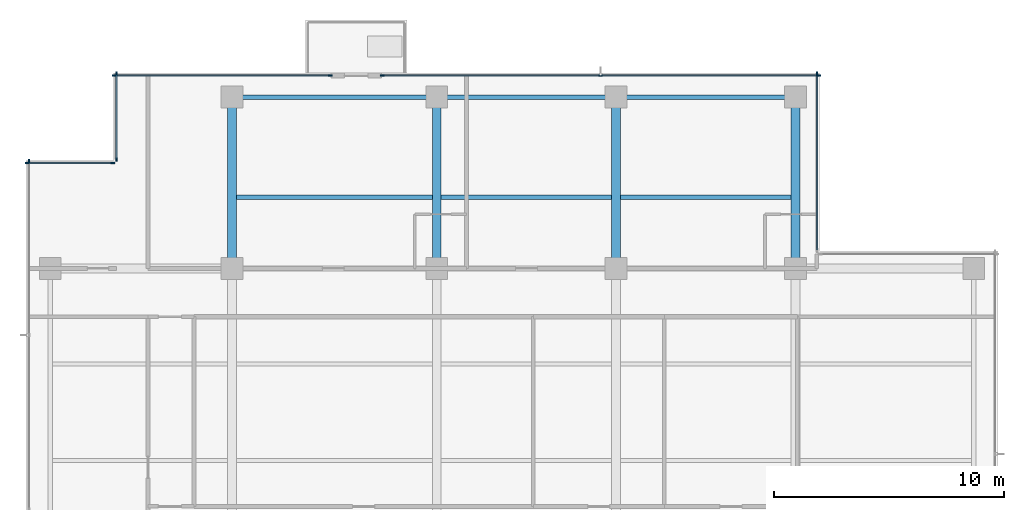
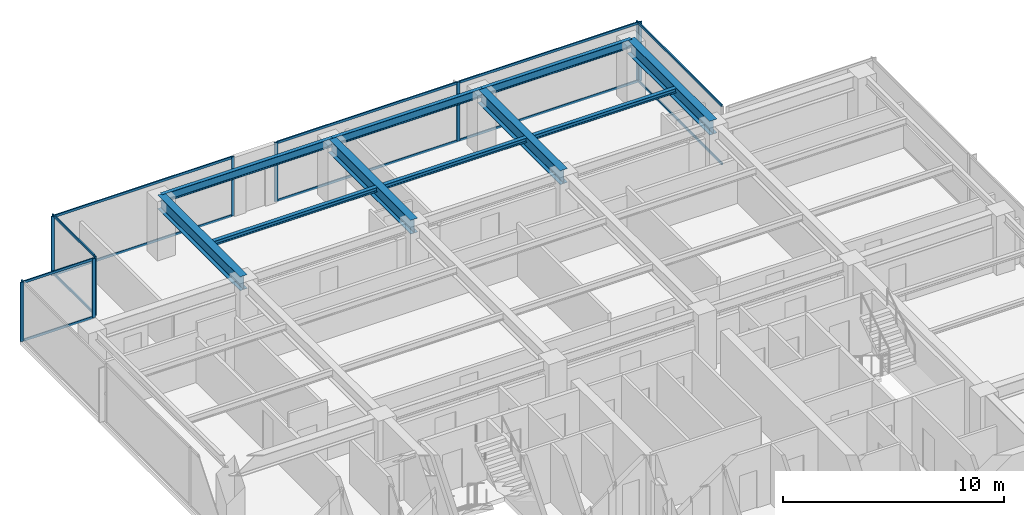
# One storey, part 5 of 14: 23 members, 10 beams, 6 elements without a shape of their own.
"""IFC4 building model written with IfcOpenShell, lengths in metres."""

from ifc_helpers import new_model, si_unit, direction, frame, origin, origin_2d, place, context, subcontext, project, spatial, rectangle, i_section, extrude, material, layer, layer_set, material_profile, profile_set, type_object, element, aggregate, save


model = new_model("IFC4")

# Units and contexts
model_context = context("Model", 3, precision=1e-05, world=origin(), true_north=direction((0.0, 1.0)))
body_context = subcontext(model_context, "Body", "Model", "MODEL_VIEW")
ifc_project = project(units=[si_unit("LENGTHUNIT", "METRE"), si_unit("AREAUNIT", "SQUARE_METRE"), si_unit("VOLUMEUNIT", "CUBIC_METRE"), si_unit("PLANEANGLEUNIT", "RADIAN"), si_unit("MASSUNIT", "GRAM", prefix="KILO")], contexts=[model_context])

# Site, building, storey
site_placement = place(None, origin())
site = spatial("IfcSite", under=ifc_project, at=site_placement, CompositionType="ELEMENT")
building_placement = place(site_placement, origin())
building = spatial("IfcBuilding", under=site, at=building_placement, Name="Qalmaran Belvedere Hotel", CompositionType="ELEMENT")
storey_placement = place(building_placement, frame((0.0, 0.0, 224.89990234375)))
storey = spatial("IfcBuildingStorey", under=building, at=storey_placement, Name="L57", CompositionType="ELEMENT", Elevation=224.89990234375)

# Beams
ifc_material_1 = material(Name="Steel S355JR", Category="steel")
ifc_material_profile_1 = material_profile(ifc_material_1, i_section(OverallWidth=0.201904296875, OverallDepth=0.2470703125, WebThickness=0.00732421875, FlangeThickness=0.010986328125, FilletRadius=0.011962890625, at=origin_2d()), Name="W250X49")
ifc_profile_set_1 = profile_set([ifc_material_profile_1], Name="Steel S355JR")
beam_type_1 = type_object("IfcBeamType", Name="BM-JST-W250X49", PredefinedType="JOIST", material=ifc_profile_set_1)
beam_1_placement = place(storey_placement, frame((20.488525390625, 36.10009765625, 3.13671875), z_axis=(1.0, 0.0, 0.0), x_axis=(0.0, 1.0, 0.0)))
element("IfcBeam", 1, at=beam_1_placement, inside=storey, type_object=beam_type_1, Name="L57 North Floor Joist 042", PredefinedType="JOIST", context=body_context, shape_type="SweptSolid", body=[
    extrude(i_section(OverallWidth=0.201904296875, OverallDepth=0.2470703125, WebThickness=0.00732421875, FlangeThickness=0.010986328125, FilletRadius=0.011962890625, at=origin_2d()), origin(), (0.0, 0.0, 1.0), 8.52294921875),
])
for number, where, z_axis, x_axis, name in (
    (2, (29.388427734375, 36.10009765625, 3.13671875), (1.0, 0.0, 0.0), (0.0, 1.0, 0.0), "L57 North Floor Joist 043"),
    (3, (37.1884765625, 36.10009765625, 3.13671875), (1.0, 0.0, 0.0), (0.0, 1.0, 0.0), "L57 North Floor Joist 044"),
):
    element("IfcBeam", number, at=place(storey_placement, frame(where, z_axis=z_axis, x_axis=x_axis)), inside=storey, type_object=beam_type_1, Name=name, PredefinedType="JOIST", context=body_context, shape_type="SweptSolid", body=[
        extrude(i_section(OverallWidth=0.201904296875, OverallDepth=0.2470703125, WebThickness=0.00732421875, FlangeThickness=0.010986328125, FilletRadius=0.011962890625, at=origin_2d()), origin(), (0.0, 0.0, 1.0), 7.423095703125),
    ])
ifc_material_profile_2 = material_profile(ifc_material_1, i_section(OverallWidth=0.381103515625, OverallDepth=0.77294921875, WebThickness=0.0166015625, FlangeThickness=0.027099609375, FilletRadius=0.02197265625, at=origin_2d()), Name="W760X257")
ifc_profile_set_2 = profile_set([ifc_material_profile_2], Name="Steel S355JR")
beam_type_2 = type_object("IfcBeamType", Name="BM-PG4-W760X257", PredefinedType="USERDEFINED", material=ifc_profile_set_2)
for number, where, z_axis, x_axis, name in (
    (4, (20.300048828125, 33.0, 2.87353515625), (0.0, 1.0, 0.0), (-1.0, 0.0, 0.0), "L57 North Bay Girder 15"),
    (5, (29.199951171875, 33.0, 2.87353515625), (0.0, 1.0, 0.0), (-1.0, 0.0, 0.0), "L57 North Bay Girder 17"),
    (6, (37.0, 33.0, 2.87353515625), (0.0, 1.0, 0.0), (-1.0, 0.0, 0.0), "L57 North Bay Girder 19"),
    (7, (44.800048828125, 33.0, 2.87353515625), (0.0, 1.0, 0.0), (-1.0, 0.0, 0.0), "L57 North Bay Girder 21"),
):
    element("IfcBeam", number, at=place(storey_placement, frame(where, z_axis=z_axis, x_axis=x_axis)), inside=storey, type_object=beam_type_2, Name=name, ObjectType="GIRDER", PredefinedType="USERDEFINED", context=body_context, shape_type="SweptSolid", body=[
        extrude(i_section(OverallWidth=0.381103515625, OverallDepth=0.77294921875, WebThickness=0.0166015625, FlangeThickness=0.027099609375, FilletRadius=0.02197265625, at=origin_2d()), origin(), (0.0, 0.0, 1.0), 7.449951171875),
    ])
ifc_material_profile_3 = material_profile(ifc_material_1, i_section(OverallWidth=0.19189453125, OverallDepth=0.462890625, WebThickness=0.010498046875, FlangeThickness=0.017578125, FilletRadius=0.01611328125, at=origin_2d()), Name="W460X89")
ifc_profile_set_3 = profile_set([ifc_material_profile_3], Name="Steel S355JR")
beam_type_3 = type_object("IfcBeamType", Name="BM-SP2-W460X89", PredefinedType="SPANDREL", material=ifc_profile_set_3)
beam_2_placement = place(storey_placement, frame((20.300048828125, 40.449951171875, 3.028564453125), z_axis=(1.0, 0.0, 0.0), x_axis=(0.0, 1.0, 0.0)))
element("IfcBeam", 8, at=beam_2_placement, inside=storey, type_object=beam_type_3, Name="L57 Perimeter Spandrel 05", PredefinedType="SPANDREL", context=body_context, shape_type="SweptSolid", body=[
    extrude(i_section(OverallWidth=0.19189453125, OverallDepth=0.462890625, WebThickness=0.010498046875, FlangeThickness=0.017578125, FilletRadius=0.01611328125, at=origin_2d()), origin(), (0.0, 0.0, 1.0), 8.89990234375),
])
for number, where, z_axis, x_axis, name in (
    (9, (29.199951171875, 40.449951171875, 3.028564453125), (1.0, 0.0, 0.0), (0.0, 1.0, 0.0), "L57 Perimeter Spandrel 06"),
    (10, (37.0, 40.449951171875, 3.028564453125), (1.0, 0.0, 0.0), (0.0, 1.0, 0.0), "L57 Perimeter Spandrel 07"),
):
    element("IfcBeam", number, at=place(storey_placement, frame(where, z_axis=z_axis, x_axis=x_axis)), inside=storey, type_object=beam_type_3, Name=name, PredefinedType="SPANDREL", context=body_context, shape_type="SweptSolid", body=[
        extrude(i_section(OverallWidth=0.19189453125, OverallDepth=0.462890625, WebThickness=0.010498046875, FlangeThickness=0.017578125, FilletRadius=0.01611328125, at=origin_2d()), origin(), (0.0, 0.0, 1.0), 7.800048828125),
    ])

# Curtain wall, member
ifc_material_2 = material(Name="Anodised Bronze Aluminium", Category="aluminium")
ifc_layer = layer(ifc_material_2, 0.18994140625, Name="Anodised Bronze Aluminium")
ifc_layer_set = layer_set([ifc_layer], Name="Anodised Bronze Aluminium")
curtain_wall_type = type_object("IfcCurtainWallType", Name="CW5-TOWER-UPPER", PredefinedType="NOTDEFINED", material=ifc_layer_set)
curtain_wall_1_placement = place(storey_placement, origin())
curtain_wall_1 = element("IfcCurtainWall", 11, at=curtain_wall_1_placement, inside=storey, type_object=curtain_wall_type, Name="L57 Curtain Wall CW5", PredefinedType="NOTDEFINED")
ifc_material_profile_4 = material_profile(ifc_material_2, rectangle(XDim=0.06494140625, YDim=0.1650390625, at=origin_2d()), Name="CWM65X165")
ifc_profile_set_4 = profile_set([ifc_material_profile_4], Name="Anodised Bronze Aluminium")
member_type_1 = type_object("IfcMemberType", Name="CWM-65X165", PredefinedType="MULLION", material=ifc_profile_set_4)
member_1_placement = place(storey_placement, frame((45.72998046875, 41.467529296875, 0.0), z_axis=(0.0, 0.0, 1.0), x_axis=(-1.0, 0.0, 0.0)))
member_1 = element("IfcMember", 12, at=member_1_placement, type_object=member_type_1, Name="CW5 mullion 2", PredefinedType="MULLION", context=body_context, shape_type="SweptSolid", body=[
    extrude(rectangle(XDim=0.06494140625, YDim=0.1650390625, at=origin_2d()), origin(), (0.0, 0.0, 1.0), 3.260009765625),
])

# Curtain wall, members
curtain_wall_2_placement = place(storey_placement, origin())
curtain_wall_2 = element("IfcCurtainWall", 13, at=curtain_wall_2_placement, inside=storey, type_object=curtain_wall_type, Name="L57 Curtain Wall CW5", PredefinedType="NOTDEFINED")
member_2_placement = place(storey_placement, frame((24.5673828125, 41.3798828125, 0.0), z_axis=(0.0, 0.0, 1.0), x_axis=(0.0, -1.0, 0.0)))
member_2 = element("IfcMember", 14, at=member_2_placement, type_object=member_type_1, Name="CW5 mullion 1", PredefinedType="MULLION", context=body_context, shape_type="SweptSolid", body=[
    extrude(rectangle(XDim=0.06494140625, YDim=0.1650390625, at=origin_2d()), origin(), (0.0, 0.0, 1.0), 3.260009765625),
])
member_3_placement = place(storey_placement, frame((15.1826171875, 41.3798828125, 0.0), z_axis=(0.0, 0.0, 1.0), x_axis=(0.0, -1.0, 0.0)))
member_3 = element("IfcMember", 15, at=member_3_placement, type_object=member_type_1, Name="CW5 mullion 2", PredefinedType="MULLION", context=body_context, shape_type="SweptSolid", body=[
    extrude(rectangle(XDim=0.06494140625, YDim=0.1650390625, at=origin_2d()), origin(), (0.0, 0.0, 1.0), 3.260009765625),
])

curtain_wall_3_placement = place(storey_placement, origin())
curtain_wall_3 = element("IfcCurtainWall", 16, at=curtain_wall_3_placement, inside=storey, type_object=curtain_wall_type, Name="L57 Curtain Wall CW5", PredefinedType="NOTDEFINED")
member_4_placement = place(storey_placement, frame((45.8173828125, 41.3798828125, 0.0), z_axis=(0.0, 0.0, 1.0), x_axis=(0.0, -1.0, 0.0)))
member_4 = element("IfcMember", 17, at=member_4_placement, type_object=member_type_1, Name="CW5 mullion 1", PredefinedType="MULLION", context=body_context, shape_type="SweptSolid", body=[
    extrude(rectangle(XDim=0.06494140625, YDim=0.1650390625, at=origin_2d()), origin(), (0.0, 0.0, 1.0), 3.260009765625),
])
member_5_placement = place(storey_placement, frame((36.324951171875, 41.3798828125, 0.0), z_axis=(0.0, 0.0, 1.0), x_axis=(0.0, -1.0, 0.0)))
member_5 = element("IfcMember", 18, at=member_5_placement, type_object=member_type_1, Name="CW5 mullion 2", PredefinedType="MULLION", context=body_context, shape_type="SweptSolid", body=[
    extrude(rectangle(XDim=0.06494140625, YDim=0.1650390625, at=origin_2d()), origin(), (0.0, 0.0, 1.0), 3.260009765625),
])
member_6_placement = place(storey_placement, frame((26.83251953125, 41.3798828125, 0.0), z_axis=(0.0, 0.0, 1.0), x_axis=(0.0, -1.0, 0.0)))
member_6 = element("IfcMember", 19, at=member_6_placement, type_object=member_type_1, Name="CW5 mullion 3", PredefinedType="MULLION", context=body_context, shape_type="SweptSolid", body=[
    extrude(rectangle(XDim=0.06494140625, YDim=0.1650390625, at=origin_2d()), origin(), (0.0, 0.0, 1.0), 3.260009765625),
])

curtain_wall_4_placement = place(storey_placement, origin())
curtain_wall_4 = element("IfcCurtainWall", 20, at=curtain_wall_4_placement, inside=storey, type_object=curtain_wall_type, Name="L57 Curtain Wall CW5", PredefinedType="NOTDEFINED")
member_7_placement = place(storey_placement, frame((15.27001953125, 41.467529296875, 0.0), z_axis=(0.0, 0.0, 1.0), x_axis=(1.0, 0.0, 0.0)))
member_7 = element("IfcMember", 21, at=member_7_placement, type_object=member_type_1, Name="CW5 mullion 1", PredefinedType="MULLION", context=body_context, shape_type="SweptSolid", body=[
    extrude(rectangle(XDim=0.06494140625, YDim=0.1650390625, at=origin_2d()), origin(), (0.0, 0.0, 1.0), 3.260009765625),
])
member_8_placement = place(storey_placement, frame((15.27001953125, 37.732421875, 0.0), z_axis=(0.0, 0.0, 1.0), x_axis=(1.0, 0.0, 0.0)))
member_8 = element("IfcMember", 22, at=member_8_placement, type_object=member_type_1, Name="CW5 mullion 2", PredefinedType="MULLION", context=body_context, shape_type="SweptSolid", body=[
    extrude(rectangle(XDim=0.06494140625, YDim=0.1650390625, at=origin_2d()), origin(), (0.0, 0.0, 1.0), 3.260009765625),
])

curtain_wall_5_placement = place(storey_placement, origin())
curtain_wall_5 = element("IfcCurtainWall", 23, at=curtain_wall_5_placement, inside=storey, type_object=curtain_wall_type, Name="L57 Curtain Wall CW5", PredefinedType="NOTDEFINED")
member_9_placement = place(storey_placement, frame((15.117431640625, 37.580078125, 0.0), z_axis=(0.0, 0.0, 1.0), x_axis=(0.0, -1.0, 0.0)))
member_9 = element("IfcMember", 24, at=member_9_placement, type_object=member_type_1, Name="CW5 mullion 1", PredefinedType="MULLION", context=body_context, shape_type="SweptSolid", body=[
    extrude(rectangle(XDim=0.06494140625, YDim=0.1650390625, at=origin_2d()), origin(), (0.0, 0.0, 1.0), 3.260009765625),
])
member_10_placement = place(storey_placement, frame((11.382568359375, 37.580078125, 0.0), z_axis=(0.0, 0.0, 1.0), x_axis=(0.0, -1.0, 0.0)))
member_10 = element("IfcMember", 25, at=member_10_placement, type_object=member_type_1, Name="CW5 mullion 2", PredefinedType="MULLION", context=body_context, shape_type="SweptSolid", body=[
    extrude(rectangle(XDim=0.06494140625, YDim=0.1650390625, at=origin_2d()), origin(), (0.0, 0.0, 1.0), 3.260009765625),
])

# Curtain wall, member
curtain_wall_6_placement = place(storey_placement, origin())
curtain_wall_6 = element("IfcCurtainWall", 26, at=curtain_wall_6_placement, inside=storey, type_object=curtain_wall_type, Name="L57 Curtain Wall CW5", PredefinedType="NOTDEFINED")
member_11_placement = place(storey_placement, frame((11.469970703125, 37.66748046875, 0.0), z_axis=(0.0, 0.0, 1.0), x_axis=(1.0, 0.0, 0.0)))
member_11 = element("IfcMember", 27, at=member_11_placement, type_object=member_type_1, Name="CW5 mullion 1", PredefinedType="MULLION", context=body_context, shape_type="SweptSolid", body=[
    extrude(rectangle(XDim=0.06494140625, YDim=0.1650390625, at=origin_2d()), origin(), (0.0, 0.0, 1.0), 3.260009765625),
])
aggregate(curtain_wall_6, [member_11])

# Member
ifc_material_profile_5 = material_profile(ifc_material_2, rectangle(XDim=0.06494140625, YDim=0.1298828125, at=origin_2d()), Name="CWT65X130")
ifc_profile_set_5 = profile_set([ifc_material_profile_5], Name="Anodised Bronze Aluminium")
member_type_2 = type_object("IfcMemberType", Name="CWT-65X130", PredefinedType="USERDEFINED", material=ifc_profile_set_5)
member_12_placement = place(storey_placement, frame((45.72998046875, 33.81494140625, 0.03271484375), z_axis=(0.0, 1.0, 0.0), x_axis=(-1.0, 0.0, 0.0)))
member_12 = element("IfcMember", 28, at=member_12_placement, type_object=member_type_2, Name="CW5 transom 1.1", ObjectType="TRANSOM", PredefinedType="USERDEFINED", context=body_context, shape_type="SweptSolid", body=[
    extrude(rectangle(XDim=0.06494140625, YDim=0.1298828125, at=origin_2d()), origin(), (0.0, 0.0, 1.0), 7.6201171875),
])

member_13_placement = place(storey_placement, frame((45.72998046875, 33.81494140625, 3.2275390625), z_axis=(0.0, 1.0, 0.0), x_axis=(-1.0, 0.0, 0.0)))
member_13 = element("IfcMember", 29, at=member_13_placement, type_object=member_type_2, Name="CW5 transom 1.2", ObjectType="TRANSOM", PredefinedType="USERDEFINED", context=body_context, shape_type="SweptSolid", body=[
    extrude(rectangle(XDim=0.06494140625, YDim=0.1298828125, at=origin_2d()), origin(), (0.0, 0.0, 1.0), 7.6201171875),
])

aggregate(curtain_wall_1, [member_1, member_12, member_13])

member_14_placement = place(storey_placement, frame((24.534912109375, 41.3798828125, 0.03271484375), z_axis=(-1.0, 0.0, 0.0), x_axis=(0.0, -1.0, 0.0)))
member_14 = element("IfcMember", 30, at=member_14_placement, type_object=member_type_2, Name="CW5 transom 1.1", ObjectType="TRANSOM", PredefinedType="USERDEFINED", context=body_context, shape_type="SweptSolid", body=[
    extrude(rectangle(XDim=0.06494140625, YDim=0.1298828125, at=origin_2d()), origin(), (0.0, 0.0, 1.0), 9.31982421875),
])

member_15_placement = place(storey_placement, frame((24.534912109375, 41.3798828125, 3.2275390625), z_axis=(-1.0, 0.0, 0.0), x_axis=(0.0, -1.0, 0.0)))
member_15 = element("IfcMember", 31, at=member_15_placement, type_object=member_type_2, Name="CW5 transom 1.2", ObjectType="TRANSOM", PredefinedType="USERDEFINED", context=body_context, shape_type="SweptSolid", body=[
    extrude(rectangle(XDim=0.06494140625, YDim=0.1298828125, at=origin_2d()), origin(), (0.0, 0.0, 1.0), 9.31982421875),
])

aggregate(curtain_wall_2, [member_2, member_3, member_14, member_15])

member_16_placement = place(storey_placement, frame((45.784912109375, 41.3798828125, 0.03271484375), z_axis=(-1.0, 0.0, 0.0), x_axis=(0.0, -1.0, 0.0)))
member_16 = element("IfcMember", 32, at=member_16_placement, type_object=member_type_2, Name="CW5 transom 1.1", ObjectType="TRANSOM", PredefinedType="USERDEFINED", context=body_context, shape_type="SweptSolid", body=[
    extrude(rectangle(XDim=0.06494140625, YDim=0.1298828125, at=origin_2d()), origin(), (0.0, 0.0, 1.0), 9.427490234375),
])

member_17_placement = place(storey_placement, frame((45.784912109375, 41.3798828125, 3.2275390625), z_axis=(-1.0, 0.0, 0.0), x_axis=(0.0, -1.0, 0.0)))
member_17 = element("IfcMember", 33, at=member_17_placement, type_object=member_type_2, Name="CW5 transom 1.2", ObjectType="TRANSOM", PredefinedType="USERDEFINED", context=body_context, shape_type="SweptSolid", body=[
    extrude(rectangle(XDim=0.06494140625, YDim=0.1298828125, at=origin_2d()), origin(), (0.0, 0.0, 1.0), 9.427490234375),
])

member_18_placement = place(storey_placement, frame((36.29248046875, 41.3798828125, 0.03271484375), z_axis=(-1.0, 0.0, 0.0), x_axis=(0.0, -1.0, 0.0)))
member_18 = element("IfcMember", 34, at=member_18_placement, type_object=member_type_2, Name="CW5 transom 2.1", ObjectType="TRANSOM", PredefinedType="USERDEFINED", context=body_context, shape_type="SweptSolid", body=[
    extrude(rectangle(XDim=0.06494140625, YDim=0.1298828125, at=origin_2d()), origin(), (0.0, 0.0, 1.0), 9.427490234375),
])

member_19_placement = place(storey_placement, frame((36.29248046875, 41.3798828125, 3.2275390625), z_axis=(-1.0, 0.0, 0.0), x_axis=(0.0, -1.0, 0.0)))
member_19 = element("IfcMember", 35, at=member_19_placement, type_object=member_type_2, Name="CW5 transom 2.2", ObjectType="TRANSOM", PredefinedType="USERDEFINED", context=body_context, shape_type="SweptSolid", body=[
    extrude(rectangle(XDim=0.06494140625, YDim=0.1298828125, at=origin_2d()), origin(), (0.0, 0.0, 1.0), 9.427490234375),
])

aggregate(curtain_wall_3, [member_4, member_5, member_6, member_16, member_17, member_18, member_19])

member_20_placement = place(storey_placement, frame((15.27001953125, 41.43505859375, 0.03271484375), z_axis=(0.0, -1.0, 0.0), x_axis=(1.0, 0.0, 0.0)))
member_20 = element("IfcMember", 36, at=member_20_placement, type_object=member_type_2, Name="CW5 transom 1.1", ObjectType="TRANSOM", PredefinedType="USERDEFINED", context=body_context, shape_type="SweptSolid", body=[
    extrude(rectangle(XDim=0.06494140625, YDim=0.1298828125, at=origin_2d()), origin(), (0.0, 0.0, 1.0), 3.670166015625),
])

member_21_placement = place(storey_placement, frame((15.27001953125, 41.43505859375, 3.2275390625), z_axis=(0.0, -1.0, 0.0), x_axis=(1.0, 0.0, 0.0)))
member_21 = element("IfcMember", 37, at=member_21_placement, type_object=member_type_2, Name="CW5 transom 1.2", ObjectType="TRANSOM", PredefinedType="USERDEFINED", context=body_context, shape_type="SweptSolid", body=[
    extrude(rectangle(XDim=0.06494140625, YDim=0.1298828125, at=origin_2d()), origin(), (0.0, 0.0, 1.0), 3.670166015625),
])

aggregate(curtain_wall_4, [member_7, member_8, member_20, member_21])

member_22_placement = place(storey_placement, frame((15.0849609375, 37.580078125, 0.03271484375), z_axis=(-1.0, 0.0, 0.0), x_axis=(0.0, -1.0, 0.0)))
member_22 = element("IfcMember", 38, at=member_22_placement, type_object=member_type_2, Name="CW5 transom 1.1", ObjectType="TRANSOM", PredefinedType="USERDEFINED", context=body_context, shape_type="SweptSolid", body=[
    extrude(rectangle(XDim=0.06494140625, YDim=0.1298828125, at=origin_2d()), origin(), (0.0, 0.0, 1.0), 3.669921875),
])

member_23_placement = place(storey_placement, frame((15.0849609375, 37.580078125, 3.2275390625), z_axis=(-1.0, 0.0, 0.0), x_axis=(0.0, -1.0, 0.0)))
member_23 = element("IfcMember", 39, at=member_23_placement, type_object=member_type_2, Name="CW5 transom 1.2", ObjectType="TRANSOM", PredefinedType="USERDEFINED", context=body_context, shape_type="SweptSolid", body=[
    extrude(rectangle(XDim=0.06494140625, YDim=0.1298828125, at=origin_2d()), origin(), (0.0, 0.0, 1.0), 3.669921875),
])

aggregate(curtain_wall_5, [member_9, member_10, member_22, member_23])

save(model, "model.ifc")
